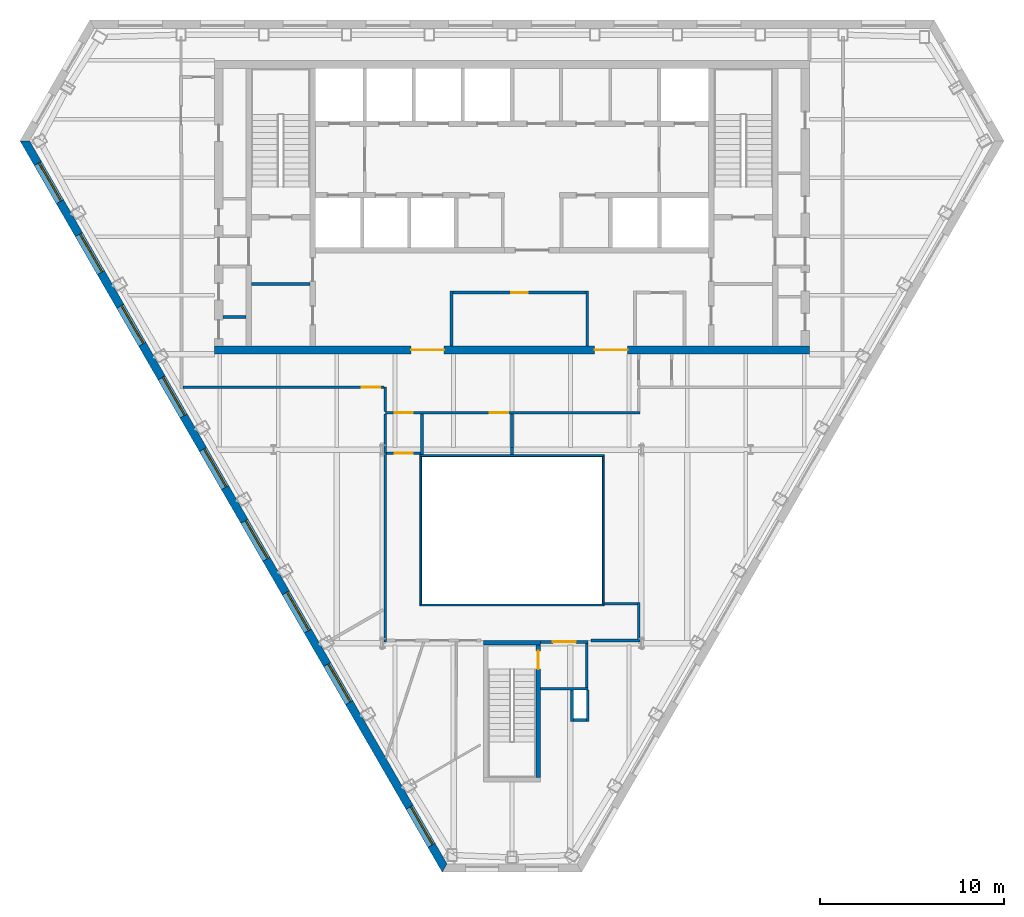
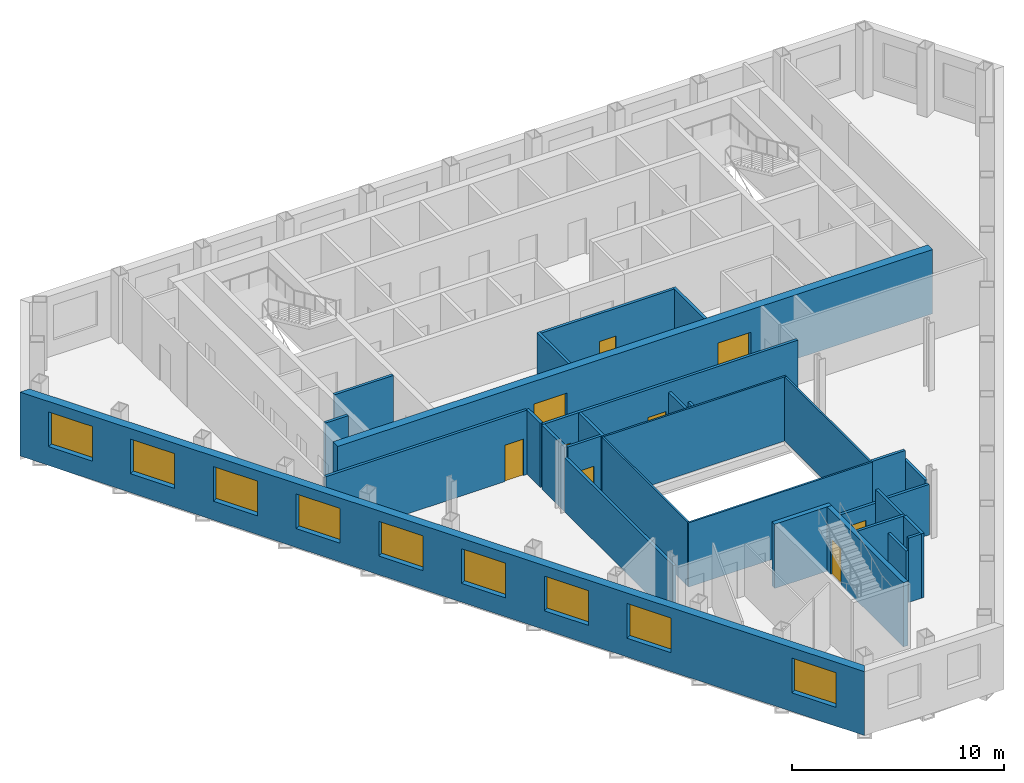
# One storey, part 4 of 10: 31 walls, 9 doors, 9 windows, 18 openings.
"""IFC4 building model written with IfcOpenShell, lengths in metres."""

from ifc_helpers import new_model, si_unit, direction, frame, frame_2d, origin, place, context, subcontext, project, spatial, polyline, rectangle, outline, extrude, material, layer, layer_set, type_object, element, fill, save


model = new_model("IFC4")

# Units and contexts
model_context = context("Model", 3, precision=1e-05, world=origin(), true_north=direction((0.0, 1.0)))
body_context = subcontext(model_context, "Body", "Model", "MODEL_VIEW")
ifc_project = project(units=[si_unit("LENGTHUNIT", "METRE"), si_unit("AREAUNIT", "SQUARE_METRE"), si_unit("VOLUMEUNIT", "CUBIC_METRE"), si_unit("PLANEANGLEUNIT", "RADIAN"), si_unit("MASSUNIT", "GRAM", prefix="KILO")], contexts=[model_context])

# Site, building, storey
site_placement = place(None, origin())
site = spatial("IfcSite", under=ifc_project, at=site_placement, CompositionType="ELEMENT")
building_placement = place(site_placement, origin())
building = spatial("IfcBuilding", under=site, at=building_placement, Name="Njiva Tower", CompositionType="ELEMENT")
storey_placement = place(building_placement, frame((0.0, 0.0, 192.6)))
storey = spatial("IfcBuildingStorey", under=building, at=storey_placement, Name="L42", CompositionType="ELEMENT", Elevation=192.6)

# Walls
ifc_material_1 = material(Name="Blockwork", Category="masonry")
ifc_layer_1 = layer(ifc_material_1, 0.15)
ifc_layer_set_1 = layer_set([ifc_layer_1], Name="Blockwork")
wall_type_1 = type_object("IfcWallType", Name="WT1 Compartment partition 150", PredefinedType="PARTITIONING", material=ifc_layer_set_1)
wall_1_placement = place(storey_placement, frame((-14.2, 5.825, 0.0), z_axis=(0.0, 0.0, 1.0), x_axis=(1.0, 0.0, 0.0)))
element("IfcWall", 1, at=wall_1_placement, inside=storey, type_object=wall_type_1, Name="Room wall A", PredefinedType="PARTITIONING", context=body_context, shape_type="SweptSolid", body=[
    extrude(rectangle(XDim=3.2, YDim=0.15, at=frame_2d((1.6, 0.0))), origin(), (0.0, 0.0, 1.0), 3.7),
])
wall_2_placement = place(storey_placement, frame((-15.75, 4.025, 0.0), z_axis=(0.0, 0.0, 1.0), x_axis=(1.0, 0.0, 0.0)))
element("IfcWall", 2, at=wall_2_placement, inside=storey, type_object=wall_type_1, Name="Partition strip W00", PredefinedType="PARTITIONING", context=body_context, shape_type="SweptSolid", body=[
    extrude(rectangle(XDim=1.25, YDim=0.15, at=frame_2d((0.625, 0.0))), origin(), (0.0, 0.0, 1.0), 3.7),
])
for number, where, z_axis, x_axis, name in (
    (3, (-3.3, 2.45, 0.0), (0.0, 0.0, 1.0), (0.0, 1.0, 0.0), "Parcel room wall west"),
    (4, (4.1, 2.45, 0.0), (0.0, 0.0, 1.0), (0.0, 1.0, 0.0), "Parcel room wall east"),
):
    element("IfcWall", number, at=place(storey_placement, frame(where, z_axis=z_axis, x_axis=x_axis)), inside=storey, type_object=wall_type_1, Name=name, PredefinedType="PARTITIONING", context=body_context, shape_type="SweptSolid", body=[
        extrude(rectangle(XDim=2.975, YDim=0.15, at=frame_2d((1.4875, 0.0))), origin(), (0.0, 0.0, 1.0), 3.7),
    ])

# Wall, opening, door
wall_3_placement = place(storey_placement, frame((-3.225, 5.35, 0.0), z_axis=(0.0, 0.0, 1.0), x_axis=(1.0, 0.0, 0.0)))
wall_3 = element("IfcWall", 5, at=wall_3_placement, inside=storey, type_object=wall_type_1, Name="Parcel room wall north", PredefinedType="PARTITIONING", context=body_context, shape_type="SweptSolid", body=[
    extrude(rectangle(XDim=7.25, YDim=0.15, at=frame_2d((3.625, 0.0))), origin(), (0.0, 0.0, 1.0), 3.7),
])
opening_1_placement = place(wall_3_placement, frame((3.175, 0.0, 0.0)))
opening_1 = element("IfcOpeningElement", 6, at=opening_1_placement, cuts=wall_3, Name="Opening S14-D934", PredefinedType="OPENING", context=body_context, shape_type="SweptSolid", body=[
    extrude(rectangle(XDim=0.9, YDim=2.1, at=frame_2d((0.45, 1.05))), frame((0.0, 0.085, 0.0), z_axis=(0.0, -1.0, 0.0), x_axis=(1.0, 0.0, 0.0)), (0.0, 0.0, 1.0), 0.17),
])
ifc_material_2 = material(Name="Steel fire door, painted", Category="steel")
door_type_1 = type_object("IfcDoorType", Name="D6 Fire-rated door 900x2100", OperationType="SINGLE_SWING_LEFT", PredefinedType="DOOR", material=ifc_material_2)
door_1_placement = place(opening_1_placement, origin())
door_1 = element("IfcDoor", 7, at=door_1_placement, inside=storey, type_object=door_type_1, Name="Parcel room door", OperationType="SINGLE_SWING_LEFT", OverallHeight=2.1, OverallWidth=0.9, PredefinedType="DOOR", context=body_context, shape_type="SweptSolid", body=[
    extrude(rectangle(XDim=0.9, YDim=2.1, at=frame_2d((0.45, 1.05))), frame((0.0, 0.025, 0.0), z_axis=(0.0, -1.0, 0.0), x_axis=(1.0, 0.0, 0.0)), (0.0, 0.0, 1.0), 0.05),
])
fill(opening_1, door_1)

# Wall, openings, doors
ifc_material_3 = material(Name="Concrete C60/75", Category="concrete")
ifc_layer_2 = layer(ifc_material_3, 0.45)
ifc_layer_set_2 = layer_set([ifc_layer_2], Name="Concrete C60/75")
wall_type_2 = type_object("IfcWallType", Name="WT12 Core wall 450", PredefinedType="SHEAR", material=ifc_layer_set_2)
wall_4_placement = place(storey_placement, frame((-16.2, 2.225, 0.0), z_axis=(0.0, 0.0, 1.0), x_axis=(1.0, 0.0, 0.0)))
wall_4 = element("IfcWall", 8, at=wall_4_placement, inside=storey, type_object=wall_type_2, Name="Core wall south", PredefinedType="SHEAR", context=body_context, shape_type="SweptSolid", body=[
    extrude(rectangle(XDim=32.4, YDim=0.45, at=frame_2d((16.2, 0.0))), origin(), (0.0, 0.0, 1.0), 3.7),
])
opening_2_placement = place(wall_4_placement, frame((10.7, 0.0, 0.0)))
opening_2 = element("IfcOpeningElement", 9, at=opening_2_placement, cuts=wall_4, Name="Opening S14-D937", PredefinedType="OPENING", context=body_context, shape_type="SweptSolid", body=[
    extrude(rectangle(XDim=1.8, YDim=2.4, at=frame_2d((0.9, 1.2))), frame((0.0, 0.235, 0.0), z_axis=(0.0, -1.0, 0.0), x_axis=(1.0, 0.0, 0.0)), (0.0, 0.0, 1.0), 0.47),
])
opening_3_placement = place(wall_4_placement, frame((20.7, 0.0, 0.0)))
opening_3 = element("IfcOpeningElement", 10, at=opening_3_placement, cuts=wall_4, Name="Opening S14-D938", PredefinedType="OPENING", context=body_context, shape_type="SweptSolid", body=[
    extrude(rectangle(XDim=1.8, YDim=2.4, at=frame_2d((0.9, 1.2))), frame((0.0, 0.235, 0.0), z_axis=(0.0, -1.0, 0.0), x_axis=(1.0, 0.0, 0.0)), (0.0, 0.0, 1.0), 0.47),
])
ifc_material_4 = material(Name="Steel and glass door", Category="steel")
door_type_2 = type_object("IfcDoorType", Name="D3 Core entrance door 1800x2400", OperationType="DOUBLE_DOOR_SINGLE_SWING", PredefinedType="DOOR", material=ifc_material_4)
door_2_placement = place(opening_2_placement, origin())
door_2 = element("IfcDoor", 11, at=door_2_placement, inside=storey, type_object=door_type_2, Name="Core entrance door", OperationType="DOUBLE_DOOR_SINGLE_SWING", OverallHeight=2.4, OverallWidth=1.8, PredefinedType="DOOR", context=body_context, shape_type="SweptSolid", body=[
    extrude(rectangle(XDim=1.8, YDim=2.4, at=frame_2d((0.9, 1.2))), frame((0.0, 0.025, 0.0), z_axis=(0.0, -1.0, 0.0), x_axis=(1.0, 0.0, 0.0)), (0.0, 0.0, 1.0), 0.05),
])
fill(opening_2, door_2)
door_3_placement = place(opening_3_placement, origin())
door_3 = element("IfcDoor", 12, at=door_3_placement, inside=storey, type_object=door_type_2, Name="Core entrance door", OperationType="DOUBLE_DOOR_SINGLE_SWING", OverallHeight=2.4, OverallWidth=1.8, PredefinedType="DOOR", context=body_context, shape_type="SweptSolid", body=[
    extrude(rectangle(XDim=1.8, YDim=2.4, at=frame_2d((0.9, 1.2))), frame((0.0, 0.025, 0.0), z_axis=(0.0, -1.0, 0.0), x_axis=(1.0, 0.0, 0.0)), (0.0, 0.0, 1.0), 0.05),
])
fill(opening_3, door_3)

# Wall, opening, door
ifc_material_5 = material(Name="Gypsum board on steel studs", Category="gypsum")
ifc_layer_3 = layer(ifc_material_5, 0.15)
ifc_layer_set_3 = layer_set([ifc_layer_3], Name="Gypsum board on steel studs")
wall_type_3 = type_object("IfcWallType", Name="WT21 Compartment wall 150", PredefinedType="PARTITIONING", material=ifc_layer_set_3)
wall_5_placement = place(storey_placement, frame((-17.925, 0.2, 0.0), z_axis=(0.0, 0.0, 1.0), x_axis=(1.0, 0.0, 0.0)))
wall_5 = element("IfcWall", 13, at=wall_5_placement, inside=storey, type_object=wall_type_3, Name="Partition S14-P005", PredefinedType="PARTITIONING", context=body_context, shape_type="SweptSolid", body=[
    extrude(rectangle(XDim=10.95, YDim=0.15, at=frame_2d((5.475, 0.0))), origin(), (0.0, 0.0, 1.0), 3.7),
])
opening_4_placement = place(wall_5_placement, frame((9.75, 0.0, 0.0)))
opening_4 = element("IfcOpeningElement", 14, at=opening_4_placement, cuts=wall_5, Name="Opening S14-D003", PredefinedType="OPENING", context=body_context, shape_type="SweptSolid", body=[
    extrude(rectangle(XDim=1.0, YDim=2.1, at=frame_2d((0.5, 1.05))), frame((0.0, 0.085, 0.0), z_axis=(0.0, -1.0, 0.0), x_axis=(1.0, 0.0, 0.0)), (0.0, 0.0, 1.0), 0.17),
])
ifc_material_6 = material(Name="Steel fire door set", Category="steel")
door_type_3 = type_object("IfcDoorType", Name="D37 Fire door 1000x2100", OperationType="SINGLE_SWING_LEFT", PredefinedType="DOOR", material=ifc_material_6)
door_4_placement = place(opening_4_placement, origin())
door_4 = element("IfcDoor", 15, at=door_4_placement, inside=storey, type_object=door_type_3, Name="Door S14-D003", OperationType="SINGLE_SWING_LEFT", OverallHeight=2.1, OverallWidth=1.0, PredefinedType="DOOR", context=body_context, shape_type="SweptSolid", body=[
    extrude(rectangle(XDim=1.0, YDim=2.1, at=frame_2d((0.5, 1.05))), frame((0.0, 0.025, 0.0), z_axis=(0.0, -1.0, 0.0), x_axis=(1.0, 0.0, 0.0)), (0.0, 0.0, 1.0), 0.05),
])
fill(opening_4, door_4)

# Walls
wall_6_placement = place(storey_placement, frame((-6.9, -13.675, 0.0), z_axis=(0.0, 0.0, 1.0), x_axis=(0.0, 1.0, 0.0)))
element("IfcWall", 16, at=wall_6_placement, inside=storey, type_object=wall_type_3, Name="Partition S14-P007", PredefinedType="PARTITIONING", context=body_context, shape_type="SweptSolid", body=[
    extrude(rectangle(XDim=10.263, YDim=0.15, at=frame_2d((5.1315, 0.0))), origin(), (0.0, 0.0, 1.0), 3.11),
])
wall_7_placement = place(storey_placement, frame((-6.9, -3.412, 0.0), z_axis=(0.0, 0.0, 1.0), x_axis=(0.0, 1.0, 0.0)))
element("IfcWall", 17, at=wall_7_placement, inside=storey, type_object=wall_type_3, Name="Partition S14-P007A", PredefinedType="PARTITIONING", context=body_context, shape_type="SweptSolid", body=[
    extrude(rectangle(XDim=2.137, YDim=0.15, at=frame_2d((1.0685, 0.0))), origin(), (0.0, 0.0, 1.0), 3.7),
])

# Wall, openings, doors
wall_8_placement = place(storey_placement, frame((-6.9, -1.2, 0.0), z_axis=(0.0, 0.0, 1.0), x_axis=(1.0, 0.0, 0.0)))
wall_8 = element("IfcWall", 18, at=wall_8_placement, inside=storey, type_object=wall_type_3, Name="Partition S14-P008", PredefinedType="PARTITIONING", context=body_context, shape_type="SweptSolid", body=[
    extrude(rectangle(XDim=13.875, YDim=0.15, at=frame_2d((6.9375, 0.0))), origin(), (0.0, 0.0, 1.0), 3.7),
])
opening_5_placement = place(wall_8_placement, frame((0.5, 0.0, 0.0)))
opening_5 = element("IfcOpeningElement", 19, at=opening_5_placement, cuts=wall_8, Name="Opening S14-D004", PredefinedType="OPENING", context=body_context, shape_type="SweptSolid", body=[
    extrude(rectangle(XDim=1.0, YDim=2.1, at=frame_2d((0.5, 1.05))), frame((0.0, 0.085, 0.0), z_axis=(0.0, -1.0, 0.0), x_axis=(1.0, 0.0, 0.0)), (0.0, 0.0, 1.0), 0.17),
])
opening_6_placement = place(wall_8_placement, frame((5.699, 0.0, 0.0)))
opening_6 = element("IfcOpeningElement", 20, at=opening_6_placement, cuts=wall_8, Name="Opening S14-D005", PredefinedType="OPENING", context=body_context, shape_type="SweptSolid", body=[
    extrude(rectangle(XDim=1.0, YDim=2.1, at=frame_2d((0.5, 1.05))), frame((0.0, 0.085, 0.0), z_axis=(0.0, -1.0, 0.0), x_axis=(1.0, 0.0, 0.0)), (0.0, 0.0, 1.0), 0.17),
])
door_5_placement = place(opening_5_placement, origin())
door_5 = element("IfcDoor", 21, at=door_5_placement, inside=storey, type_object=door_type_3, Name="Door S14-D004", OperationType="SINGLE_SWING_RIGHT", OverallHeight=2.1, OverallWidth=1.0, PredefinedType="DOOR", context=body_context, shape_type="SweptSolid", body=[
    extrude(rectangle(XDim=1.0, YDim=2.1, at=frame_2d((0.5, 1.05))), frame((0.0, 0.025, 0.0), z_axis=(0.0, -1.0, 0.0), x_axis=(1.0, 0.0, 0.0)), (0.0, 0.0, 1.0), 0.05),
])
fill(opening_5, door_5)
door_6_placement = place(opening_6_placement, origin())
door_6 = element("IfcDoor", 22, at=door_6_placement, inside=storey, type_object=door_type_3, Name="Door S14-D005", OperationType="SINGLE_SWING_LEFT", OverallHeight=2.1, OverallWidth=1.0, PredefinedType="DOOR", context=body_context, shape_type="SweptSolid", body=[
    extrude(rectangle(XDim=1.0, YDim=2.1, at=frame_2d((0.5, 1.05))), frame((0.0, 0.025, 0.0), z_axis=(0.0, -1.0, 0.0), x_axis=(1.0, 0.0, 0.0)), (0.0, 0.0, 1.0), 0.05),
])
fill(opening_6, door_6)

# Wall
wall_9_placement = place(storey_placement, frame((-6.9, -1.125, 0.0), z_axis=(0.0, 0.0, 1.0), x_axis=(0.0, 1.0, 0.0)))
element("IfcWall", 23, at=wall_9_placement, inside=storey, type_object=wall_type_3, Name="Partition S14-P009", PredefinedType="PARTITIONING", context=body_context, shape_type="SweptSolid", body=[
    extrude(rectangle(XDim=1.321, YDim=0.15, at=frame_2d((0.6605, 0.0))), origin(), (0.0, 0.0, 1.0), 3.7),
])

# Wall, opening, door
wall_10_placement = place(storey_placement, frame((-6.825, -3.4, 0.0), z_axis=(0.0, 0.0, 1.0), x_axis=(1.0, 0.0, 0.0)))
wall_10 = element("IfcWall", 24, at=wall_10_placement, inside=storey, type_object=wall_type_3, Name="Partition S14-P012", PredefinedType="PARTITIONING", context=body_context, shape_type="SweptSolid", body=[
    extrude(rectangle(XDim=1.851, YDim=0.15, at=frame_2d((0.9255, 0.0))), origin(), (0.0, 0.0, 1.0), 3.7),
])
opening_7_placement = place(wall_10_placement, frame((0.425, 0.0, 0.0)))
opening_7 = element("IfcOpeningElement", 25, at=opening_7_placement, cuts=wall_10, Name="Opening S14-D009", PredefinedType="OPENING", context=body_context, shape_type="SweptSolid", body=[
    extrude(rectangle(XDim=1.0, YDim=2.1, at=frame_2d((0.5, 1.05))), frame((0.0, 0.085, 0.0), z_axis=(0.0, -1.0, 0.0), x_axis=(1.0, 0.0, 0.0)), (0.0, 0.0, 1.0), 0.17),
])
door_7_placement = place(opening_7_placement, origin())
door_7 = element("IfcDoor", 26, at=door_7_placement, inside=storey, type_object=door_type_3, Name="Door S14-D009", OperationType="SINGLE_SWING_RIGHT", OverallHeight=2.1, OverallWidth=1.0, PredefinedType="DOOR", context=body_context, shape_type="SweptSolid", body=[
    extrude(rectangle(XDim=1.0, YDim=2.1, at=frame_2d((0.5, 1.05))), frame((0.0, 0.025, 0.0), z_axis=(0.0, -1.0, 0.0), x_axis=(1.0, 0.0, 0.0)), (0.0, 0.0, 1.0), 0.05),
])
fill(opening_7, door_7)

# Walls
wall_11_placement = place(storey_placement, frame((-4.899, -3.48, 0.0), z_axis=(0.0, 0.0, 1.0), x_axis=(-0.000453514693, 0.999999897162, 0.0)))
element("IfcWall", 27, at=wall_11_placement, inside=storey, type_object=wall_type_3, Name="Partition S14-P014", PredefinedType="PARTITIONING", context=body_context, shape_type="SweptSolid", body=[
    extrude(rectangle(XDim=2.205, YDim=0.15, at=frame_2d((1.1025, 0.0))), origin(), (0.0, 0.0, 1.0), 3.7),
])
wall_12_placement = place(storey_placement, frame((-0.001, -1.275, 0.0), z_axis=(0.0, 0.0, 1.0), x_axis=(0.000438356122, -0.999999903922, 0.0)))
element("IfcWall", 28, at=wall_12_placement, inside=storey, type_object=wall_type_3, Name="Partition S14-P017", PredefinedType="PARTITIONING", context=body_context, shape_type="SweptSolid", body=[
    extrude(rectangle(XDim=1.825, YDim=0.15, at=frame_2d((0.9125, 0.0))), origin(), (0.0, 0.0, 1.0), 3.15),
])
wall_13_placement = place(storey_placement, frame((-0.0002, -3.1, 0.0), z_axis=(0.0, 0.0, 1.0), x_axis=(0.000526315717, -0.999999861496, 0.0)))
element("IfcWall", 29, at=wall_13_placement, inside=storey, type_object=wall_type_3, Name="Partition S14-P017A", PredefinedType="PARTITIONING", context=body_context, shape_type="SweptSolid", body=[
    extrude(rectangle(XDim=0.38, YDim=0.15, at=frame_2d((0.19, 0.0))), origin(), (0.0, 0.0, 1.0), 3.7),
])
wall_14_placement = place(storey_placement, frame((4.3, -13.6, 0.0), z_axis=(0.0, 0.0, 1.0), x_axis=(1.0, 0.0, 0.0)))
element("IfcWall", 30, at=wall_14_placement, inside=storey, type_object=wall_type_3, Name="Partition S14-P018", PredefinedType="PARTITIONING", context=body_context, shape_type="SweptSolid", body=[
    extrude(rectangle(XDim=2.675, YDim=0.15, at=frame_2d((1.3375, 0.0))), origin(), (0.0, 0.0, 1.0), 2.91),
])
wall_15_placement = place(storey_placement, frame((5.02, -11.6, 0.0), z_axis=(0.0, 0.0, 1.0), x_axis=(1.0, 0.0, 0.0)))
element("IfcWall", 31, at=wall_15_placement, inside=storey, type_object=wall_type_3, Name="Partition S14-P019", PredefinedType="PARTITIONING", context=body_context, shape_type="SweptSolid", body=[
    extrude(rectangle(XDim=1.805, YDim=0.15, at=frame_2d((0.9025, 0.0))), origin(), (0.0, 0.0, 1.0), 3.7),
])
wall_16_placement = place(storey_placement, frame((6.9, -13.525, 0.0), z_axis=(0.0, 0.0, 1.0), x_axis=(0.0, 1.0, 0.0)))
element("IfcWall", 32, at=wall_16_placement, inside=storey, type_object=wall_type_3, Name="Partition S14-P020", PredefinedType="PARTITIONING", context=body_context, shape_type="SweptSolid", body=[
    extrude(rectangle(XDim=2.0, YDim=0.15, at=frame_2d((1.0, 0.0))), origin(), (0.0, 0.0, 1.0), 3.11),
])
ifc_layer_4 = layer(ifc_material_1, 0.15)
ifc_layer_set_4 = layer_set([ifc_layer_4], Name="Blockwork")
wall_type_4 = type_object("IfcWallType", Name="WT4 Stair partition 150", PredefinedType="PARTITIONING", material=ifc_layer_set_4)
wall_17_placement = place(storey_placement, frame((1.55, -16.225, 0.0), z_axis=(0.0, 0.0, 1.0), x_axis=(1.0, 0.0, 0.0)))
element("IfcWall", 33, at=wall_17_placement, inside=storey, type_object=wall_type_4, Name="Stair C vestibule wall south", PredefinedType="PARTITIONING", context=body_context, shape_type="SweptSolid", body=[
    extrude(rectangle(XDim=2.6, YDim=0.15, at=frame_2d((1.3, 0.0))), origin(), (0.0, 0.0, 1.0), 3.7),
])
wall_18_placement = place(storey_placement, frame((4.075, -16.15, 0.0), z_axis=(0.0, 0.0, 1.0), x_axis=(0.0, 1.0, 0.0)))
element("IfcWall", 34, at=wall_18_placement, inside=storey, type_object=wall_type_4, Name="Stair C vestibule wall east", PredefinedType="PARTITIONING", context=body_context, shape_type="SweptSolid", body=[
    extrude(rectangle(XDim=2.4, YDim=0.15, at=frame_2d((1.2, 0.0))), origin(), (0.0, 0.0, 1.0), 3.7),
])

# Wall, opening, door
wall_19_placement = place(storey_placement, frame((1.55, -13.675, 0.0), z_axis=(0.0, 0.0, 1.0), x_axis=(1.0, 0.0, 0.0)))
wall_19 = element("IfcWall", 35, at=wall_19_placement, inside=storey, type_object=wall_type_4, Name="Stair C vestibule wall north", PredefinedType="PARTITIONING", context=body_context, shape_type="SweptSolid", body=[
    extrude(rectangle(XDim=2.6, YDim=0.15, at=frame_2d((1.3, 0.0))), origin(), (0.0, 0.0, 1.0), 2.91),
])
opening_8_placement = place(wall_19_placement, frame((0.675, 0.0, 0.0)))
opening_8 = element("IfcOpeningElement", 36, at=opening_8_placement, cuts=wall_19, Name="Opening S14-D940", PredefinedType="OPENING", context=body_context, shape_type="SweptSolid", body=[
    extrude(rectangle(XDim=1.25, YDim=2.1, at=frame_2d((0.625, 1.05))), frame((0.0, 0.085, 0.0), z_axis=(0.0, -1.0, 0.0), x_axis=(1.0, 0.0, 0.0)), (0.0, 0.0, 1.0), 0.17),
])
ifc_material_7 = material(Name="Glazed steel fire door", Category="steel")
door_type_4 = type_object("IfcDoorType", Name="D8 Vestibule corridor door 1250x2100 glazed", OperationType="SINGLE_SWING_LEFT", PredefinedType="DOOR", material=ifc_material_7)
door_8_placement = place(opening_8_placement, origin())
door_8 = element("IfcDoor", 37, at=door_8_placement, inside=storey, type_object=door_type_4, Name="Stair vestibule corridor door", OperationType="SINGLE_SWING_RIGHT", OverallHeight=2.1, OverallWidth=1.25, PredefinedType="DOOR", context=body_context, shape_type="SweptSolid", body=[
    extrude(rectangle(XDim=1.25, YDim=2.1, at=frame_2d((0.625, 1.05))), frame((0.0, 0.025, 0.0), z_axis=(0.0, -1.0, 0.0), x_axis=(1.0, 0.0, 0.0)), (0.0, 0.0, 1.0), 0.05),
])
fill(opening_8, door_8)

# Walls
wall_20_placement = place(storey_placement, frame((3.275, -18.0, 0.0), z_axis=(0.0, 0.0, 1.0), x_axis=(0.0, 1.0, 0.0)))
element("IfcWall", 38, at=wall_20_placement, inside=storey, type_object=wall_type_4, Name="Stair C pressurisation shaft wall", PredefinedType="PARTITIONING", context=body_context, shape_type="SweptSolid", body=[
    extrude(rectangle(XDim=1.7, YDim=0.15, at=frame_2d((0.85, 0.0))), origin(), (0.0, 0.0, 1.0), 3.01),
])
wall_21_placement = place(storey_placement, frame((3.35, -17.925, 0.0), z_axis=(0.0, 0.0, 1.0), x_axis=(1.0, 0.0, 0.0)))
element("IfcWall", 39, at=wall_21_placement, inside=storey, type_object=wall_type_4, Name="Stair C pressurisation shaft wall", PredefinedType="PARTITIONING", context=body_context, shape_type="SweptSolid", body=[
    extrude(rectangle(XDim=0.7, YDim=0.15, at=frame_2d((0.35, 0.0))), origin(), (0.0, 0.0, 1.0), 3.7),
])
wall_22_placement = place(storey_placement, frame((4.125, -18.0, 0.0), z_axis=(0.0, 0.0, 1.0), x_axis=(0.0, 1.0, 0.0)))
element("IfcWall", 40, at=wall_22_placement, inside=storey, type_object=wall_type_4, Name="Stair C pressurisation shaft wall", PredefinedType="PARTITIONING", context=body_context, shape_type="SweptSolid", body=[
    extrude(rectangle(XDim=1.7, YDim=0.15, at=frame_2d((0.85, 0.0))), origin(), (0.0, 0.0, 1.0), 3.7),
])

# Wall, opening, door
ifc_material_8 = material(Name="Concrete C40/50", Category="concrete")
ifc_layer_5 = layer(ifc_material_8, 0.25)
ifc_layer_set_5 = layer_set([ifc_layer_5], Name="Concrete C40/50")
wall_type_5 = type_object("IfcWallType", Name="WT9 Stair enclosure wall 250", PredefinedType="SHEAR", material=ifc_layer_set_5)
wall_23_placement = place(storey_placement, frame((1.425, -21.05, 0.0), z_axis=(0.0, 0.0, 1.0), x_axis=(0.0, 1.0, 0.0)))
wall_23 = element("IfcWall", 41, at=wall_23_placement, inside=storey, type_object=wall_type_5, Name="Stair C wall east", PredefinedType="SHEAR", context=body_context, shape_type="SweptSolid", body=[
    extrude(rectangle(XDim=7.2, YDim=0.25, at=frame_2d((3.6, 0.0))), origin(), (0.0, 0.0, 1.0), 3.7),
])
opening_9_placement = place(wall_23_placement, frame((5.89, 0.0, 0.0)))
opening_9 = element("IfcOpeningElement", 42, at=opening_9_placement, cuts=wall_23, Name="Opening S14-D939", PredefinedType="OPENING", context=body_context, shape_type="SweptSolid", body=[
    extrude(rectangle(XDim=1.0, YDim=2.1, at=frame_2d((0.5, 1.05))), frame((0.0, 0.135, 0.0), z_axis=(0.0, -1.0, 0.0), x_axis=(1.0, 0.0, 0.0)), (0.0, 0.0, 1.0), 0.27),
])
door_type_5 = type_object("IfcDoorType", Name="D9 Stair vestibule door 1000x2100 glazed", OperationType="SINGLE_SWING_LEFT", PredefinedType="DOOR", material=ifc_material_7)
door_9_placement = place(opening_9_placement, origin())
door_9 = element("IfcDoor", 43, at=door_9_placement, inside=storey, type_object=door_type_5, Name="Stair C door", OperationType="SINGLE_SWING_LEFT", OverallHeight=2.1, OverallWidth=1.0, PredefinedType="DOOR", context=body_context, shape_type="SweptSolid", body=[
    extrude(rectangle(XDim=1.0, YDim=2.1, at=frame_2d((0.5, 1.05))), frame((0.0, 0.025, 0.0), z_axis=(0.0, -1.0, 0.0), x_axis=(1.0, 0.0, 0.0)), (0.0, 0.0, 1.0), 0.05),
])
fill(opening_9, door_9)

# Wall
wall_24_placement = place(storey_placement, frame((-1.55, -13.725, 0.0), z_axis=(0.0, 0.0, 1.0), x_axis=(1.0, 0.0, 0.0)))
element("IfcWall", 44, at=wall_24_placement, inside=storey, type_object=wall_type_5, Name="Stair C wall north", PredefinedType="SHEAR", context=body_context, shape_type="SweptSolid", body=[
    extrude(rectangle(XDim=3.1, YDim=0.25, at=frame_2d((1.55, 0.0))), origin(), (0.0, 0.0, 1.0), 3.7),
])

# Wall, openings, windows
ifc_material_9 = material(Name="Brick masonry", Category="masonry")
ifc_layer_6 = layer(ifc_material_9, 0.45)
ifc_layer_set_6 = layer_set([ifc_layer_6], Name="Brick masonry")
wall_type_6 = type_object("IfcWallType", Name="WT90 Brick pier and spandrel wall 450", PredefinedType="SOLIDWALL", material=ifc_layer_set_6)
wall_25_placement = place(storey_placement, frame((-26.5402, 13.6182, -0.18), z_axis=(0.0, 0.0, 1.0), x_axis=(0.499999764979, -0.866025539474, 0.0)))
wall_25 = element("IfcWall", 45, at=wall_25_placement, inside=storey, type_object=wall_type_6, Name="Facade wall SW", PredefinedType="SOLIDWALL", context=body_context, shape_type="SweptSolid", body=[
    extrude(outline(polyline([(-0.1299, -0.225), (45.8701, -0.225), (45.6103, 0.225), (0.1299, 0.225), (-0.1299, -0.225)])), origin(), (0.0, 0.0, 1.0), 3.68),
])
opening_10_placement = place(wall_25_placement, frame((1.4242, 0.0, 1.08)))
opening_10 = element("IfcOpeningElement", 46, at=opening_10_placement, cuts=wall_25, Name="Opening S14-W12", PredefinedType="OPENING", context=body_context, shape_type="SweptSolid", body=[
    extrude(rectangle(XDim=2.4, YDim=2.0, at=frame_2d((1.2, 1.0))), frame((0.0, 0.235, 0.0), z_axis=(0.0, -1.0, 0.0), x_axis=(1.0, 0.0, 0.0)), (0.0, 0.0, 1.0), 0.47),
])
opening_11_placement = place(wall_25_placement, frame((5.8934, 0.0, 1.08)))
opening_11 = element("IfcOpeningElement", 47, at=opening_11_placement, cuts=wall_25, Name="Opening S14-W13", PredefinedType="OPENING", context=body_context, shape_type="SweptSolid", body=[
    extrude(rectangle(XDim=2.4, YDim=2.0, at=frame_2d((1.2, 1.0))), frame((0.0, 0.235, 0.0), z_axis=(0.0, -1.0, 0.0), x_axis=(1.0, 0.0, 0.0)), (0.0, 0.0, 1.0), 0.47),
])
opening_12_placement = place(wall_25_placement, frame((10.401, 0.0, 1.08)))
opening_12 = element("IfcOpeningElement", 48, at=opening_12_placement, cuts=wall_25, Name="Opening S14-W14", PredefinedType="OPENING", context=body_context, shape_type="SweptSolid", body=[
    extrude(rectangle(XDim=2.4, YDim=2.0, at=frame_2d((1.2, 1.0))), frame((0.0, 0.235, 0.0), z_axis=(0.0, -1.0, 0.0), x_axis=(1.0, 0.0, 0.0)), (0.0, 0.0, 1.0), 0.47),
])
opening_13_placement = place(wall_25_placement, frame((14.9087, 0.0, 1.08)))
opening_13 = element("IfcOpeningElement", 49, at=opening_13_placement, cuts=wall_25, Name="Opening S14-W15", PredefinedType="OPENING", context=body_context, shape_type="SweptSolid", body=[
    extrude(rectangle(XDim=2.4, YDim=2.0, at=frame_2d((1.2, 1.0))), frame((0.0, 0.235, 0.0), z_axis=(0.0, -1.0, 0.0), x_axis=(1.0, 0.0, 0.0)), (0.0, 0.0, 1.0), 0.47),
])
opening_14_placement = place(wall_25_placement, frame((19.4163, 0.0, 1.08)))
opening_14 = element("IfcOpeningElement", 50, at=opening_14_placement, cuts=wall_25, Name="Opening S14-W16", PredefinedType="OPENING", context=body_context, shape_type="SweptSolid", body=[
    extrude(rectangle(XDim=2.4, YDim=2.0, at=frame_2d((1.2, 1.0))), frame((0.0, 0.235, 0.0), z_axis=(0.0, -1.0, 0.0), x_axis=(1.0, 0.0, 0.0)), (0.0, 0.0, 1.0), 0.47),
])
opening_15_placement = place(wall_25_placement, frame((23.9239, 0.0, 1.08)))
opening_15 = element("IfcOpeningElement", 51, at=opening_15_placement, cuts=wall_25, Name="Opening S14-W17", PredefinedType="OPENING", context=body_context, shape_type="SweptSolid", body=[
    extrude(rectangle(XDim=2.4, YDim=2.0, at=frame_2d((1.2, 1.0))), frame((0.0, 0.235, 0.0), z_axis=(0.0, -1.0, 0.0), x_axis=(1.0, 0.0, 0.0)), (0.0, 0.0, 1.0), 0.47),
])
opening_16_placement = place(wall_25_placement, frame((28.4315, 0.0, 1.08)))
opening_16 = element("IfcOpeningElement", 52, at=opening_16_placement, cuts=wall_25, Name="Opening S14-W18", PredefinedType="OPENING", context=body_context, shape_type="SweptSolid", body=[
    extrude(rectangle(XDim=2.4, YDim=2.0, at=frame_2d((1.2, 1.0))), frame((0.0, 0.235, 0.0), z_axis=(0.0, -1.0, 0.0), x_axis=(1.0, 0.0, 0.0)), (0.0, 0.0, 1.0), 0.47),
])
opening_17_placement = place(wall_25_placement, frame((32.9391, 0.0, 1.08)))
opening_17 = element("IfcOpeningElement", 53, at=opening_17_placement, cuts=wall_25, Name="Opening S14-W19", PredefinedType="OPENING", context=body_context, shape_type="SweptSolid", body=[
    extrude(rectangle(XDim=2.4, YDim=2.0, at=frame_2d((1.2, 1.0))), frame((0.0, 0.235, 0.0), z_axis=(0.0, -1.0, 0.0), x_axis=(1.0, 0.0, 0.0)), (0.0, 0.0, 1.0), 0.47),
])
opening_18_placement = place(wall_25_placement, frame((41.916, 0.0, 1.08)))
opening_18 = element("IfcOpeningElement", 54, at=opening_18_placement, cuts=wall_25, Name="Opening S14-W20", PredefinedType="OPENING", context=body_context, shape_type="SweptSolid", body=[
    extrude(rectangle(XDim=2.4, YDim=2.0, at=frame_2d((1.2, 1.0))), frame((0.0, 0.235, 0.0), z_axis=(0.0, -1.0, 0.0), x_axis=(1.0, 0.0, 0.0)), (0.0, 0.0, 1.0), 0.47),
])
ifc_material_10 = material(Name="Clear glazing in aluminium frame", Category="aluminium")
window_type = type_object("IfcWindowType", Name="W90 Deep-set window 2400x2000", PartitioningType="SINGLE_PANEL", PredefinedType="WINDOW", material=ifc_material_10)
window_1_placement = place(opening_10_placement, origin())
window_1 = element("IfcWindow", 55, at=window_1_placement, inside=storey, type_object=window_type, Name="Window", OverallHeight=2.0, OverallWidth=2.4, PartitioningType="SINGLE_PANEL", PredefinedType="WINDOW", context=body_context, shape_type="SweptSolid", body=[
    extrude(rectangle(XDim=2.4, YDim=2.0, at=frame_2d((1.2, 1.0))), frame((0.0, 0.105, 0.0), z_axis=(0.0, -1.0, 0.0), x_axis=(1.0, 0.0, 0.0)), (0.0, 0.0, 1.0), 0.06),
])
fill(opening_10, window_1)
window_2_placement = place(opening_11_placement, origin())
window_2 = element("IfcWindow", 56, at=window_2_placement, inside=storey, type_object=window_type, Name="Window", OverallHeight=2.0, OverallWidth=2.4, PartitioningType="SINGLE_PANEL", PredefinedType="WINDOW", context=body_context, shape_type="SweptSolid", body=[
    extrude(rectangle(XDim=2.4, YDim=2.0, at=frame_2d((1.2, 1.0))), frame((0.0, 0.105, 0.0), z_axis=(0.0, -1.0, 0.0), x_axis=(1.0, 0.0, 0.0)), (0.0, 0.0, 1.0), 0.06),
])
fill(opening_11, window_2)
window_3_placement = place(opening_12_placement, origin())
window_3 = element("IfcWindow", 57, at=window_3_placement, inside=storey, type_object=window_type, Name="Window", OverallHeight=2.0, OverallWidth=2.4, PartitioningType="SINGLE_PANEL", PredefinedType="WINDOW", context=body_context, shape_type="SweptSolid", body=[
    extrude(rectangle(XDim=2.4, YDim=2.0, at=frame_2d((1.2, 1.0))), frame((0.0, 0.105, 0.0), z_axis=(0.0, -1.0, 0.0), x_axis=(1.0, 0.0, 0.0)), (0.0, 0.0, 1.0), 0.06),
])
fill(opening_12, window_3)
window_4_placement = place(opening_13_placement, origin())
window_4 = element("IfcWindow", 58, at=window_4_placement, inside=storey, type_object=window_type, Name="Window", OverallHeight=2.0, OverallWidth=2.4, PartitioningType="SINGLE_PANEL", PredefinedType="WINDOW", context=body_context, shape_type="SweptSolid", body=[
    extrude(rectangle(XDim=2.4, YDim=2.0, at=frame_2d((1.2, 1.0))), frame((0.0, 0.105, 0.0), z_axis=(0.0, -1.0, 0.0), x_axis=(1.0, 0.0, 0.0)), (0.0, 0.0, 1.0), 0.06),
])
fill(opening_13, window_4)
window_5_placement = place(opening_14_placement, origin())
window_5 = element("IfcWindow", 59, at=window_5_placement, inside=storey, type_object=window_type, Name="Window", OverallHeight=2.0, OverallWidth=2.4, PartitioningType="SINGLE_PANEL", PredefinedType="WINDOW", context=body_context, shape_type="SweptSolid", body=[
    extrude(rectangle(XDim=2.4, YDim=2.0, at=frame_2d((1.2, 1.0))), frame((0.0, 0.105, 0.0), z_axis=(0.0, -1.0, 0.0), x_axis=(1.0, 0.0, 0.0)), (0.0, 0.0, 1.0), 0.06),
])
fill(opening_14, window_5)
window_6_placement = place(opening_15_placement, origin())
window_6 = element("IfcWindow", 60, at=window_6_placement, inside=storey, type_object=window_type, Name="Window", OverallHeight=2.0, OverallWidth=2.4, PartitioningType="SINGLE_PANEL", PredefinedType="WINDOW", context=body_context, shape_type="SweptSolid", body=[
    extrude(rectangle(XDim=2.4, YDim=2.0, at=frame_2d((1.2, 1.0))), frame((0.0, 0.105, 0.0), z_axis=(0.0, -1.0, 0.0), x_axis=(1.0, 0.0, 0.0)), (0.0, 0.0, 1.0), 0.06),
])
fill(opening_15, window_6)
window_7_placement = place(opening_16_placement, origin())
window_7 = element("IfcWindow", 61, at=window_7_placement, inside=storey, type_object=window_type, Name="Window", OverallHeight=2.0, OverallWidth=2.4, PartitioningType="SINGLE_PANEL", PredefinedType="WINDOW", context=body_context, shape_type="SweptSolid", body=[
    extrude(rectangle(XDim=2.4, YDim=2.0, at=frame_2d((1.2, 1.0))), frame((0.0, 0.105, 0.0), z_axis=(0.0, -1.0, 0.0), x_axis=(1.0, 0.0, 0.0)), (0.0, 0.0, 1.0), 0.06),
])
fill(opening_16, window_7)
window_8_placement = place(opening_17_placement, origin())
window_8 = element("IfcWindow", 62, at=window_8_placement, inside=storey, type_object=window_type, Name="Window", OverallHeight=2.0, OverallWidth=2.4, PartitioningType="SINGLE_PANEL", PredefinedType="WINDOW", context=body_context, shape_type="SweptSolid", body=[
    extrude(rectangle(XDim=2.4, YDim=2.0, at=frame_2d((1.2, 1.0))), frame((0.0, 0.105, 0.0), z_axis=(0.0, -1.0, 0.0), x_axis=(1.0, 0.0, 0.0)), (0.0, 0.0, 1.0), 0.06),
])
fill(opening_17, window_8)
window_9_placement = place(opening_18_placement, origin())
window_9 = element("IfcWindow", 63, at=window_9_placement, inside=storey, type_object=window_type, Name="Window", OverallHeight=2.0, OverallWidth=2.4, PartitioningType="SINGLE_PANEL", PredefinedType="WINDOW", context=body_context, shape_type="SweptSolid", body=[
    extrude(rectangle(XDim=2.4, YDim=2.0, at=frame_2d((1.2, 1.0))), frame((0.0, 0.105, 0.0), z_axis=(0.0, -1.0, 0.0), x_axis=(1.0, 0.0, 0.0)), (0.0, 0.0, 1.0), 0.06),
])
fill(opening_18, window_9)

# Walls
ifc_material_11 = material(Name="Fire-resisting glazing EI 90", Category="glass")
ifc_layer_7 = layer(ifc_material_11, 0.1)
ifc_layer_set_7 = layer_set([ifc_layer_7], Name="Fire-resisting glazing EI 90")
wall_type_7 = type_object("IfcWallType", Name="WT95 Fire-resisting glazed screen EI 90", PredefinedType="PARTITIONING", material=ifc_layer_set_7)
wall_26_placement = place(storey_placement, frame((-5.02, -11.67, 0.0), z_axis=(0.0, 0.0, 1.0), x_axis=(1.0, 0.0, 0.0)))
element("IfcWall", 64, at=wall_26_placement, inside=storey, type_object=wall_type_7, Name="Atrium fire screen south", PredefinedType="PARTITIONING", context=body_context, shape_type="SweptSolid", body=[
    extrude(rectangle(XDim=10.04, YDim=0.1, at=frame_2d((5.02, 0.0))), origin(), (0.0, 0.0, 1.0), 3.7),
])
wall_27_placement = place(storey_placement, frame((4.97, -11.62, 0.0), z_axis=(0.0, 0.0, 1.0), x_axis=(0.0, 1.0, 0.0)))
element("IfcWall", 65, at=wall_27_placement, inside=storey, type_object=wall_type_7, Name="Atrium fire screen east", PredefinedType="PARTITIONING", context=body_context, shape_type="SweptSolid", body=[
    extrude(rectangle(XDim=8.04, YDim=0.1, at=frame_2d((4.02, 0.0))), origin(), (0.0, 0.0, 1.0), 3.7),
])
wall_28_placement = place(storey_placement, frame((5.02, -3.53, 0.0), z_axis=(0.0, 0.0, 1.0), x_axis=(-1.0, 0.0, 0.0)))
element("IfcWall", 66, at=wall_28_placement, inside=storey, type_object=wall_type_7, Name="Atrium fire screen north", PredefinedType="PARTITIONING", context=body_context, shape_type="SweptSolid", body=[
    extrude(rectangle(XDim=10.04, YDim=0.1, at=frame_2d((5.02, 0.0))), origin(), (0.0, 0.0, 1.0), 3.7),
])
wall_29_placement = place(storey_placement, frame((-4.97, -3.58, 0.0), z_axis=(0.0, 0.0, 1.0), x_axis=(0.0, -1.0, 0.0)))
element("IfcWall", 67, at=wall_29_placement, inside=storey, type_object=wall_type_7, Name="Atrium fire screen west", PredefinedType="PARTITIONING", context=body_context, shape_type="SweptSolid", body=[
    extrude(rectangle(XDim=8.04, YDim=0.1, at=frame_2d((4.02, 0.0))), origin(), (0.0, 0.0, 1.0), 3.7),
])

save(model, "model.ifc")
